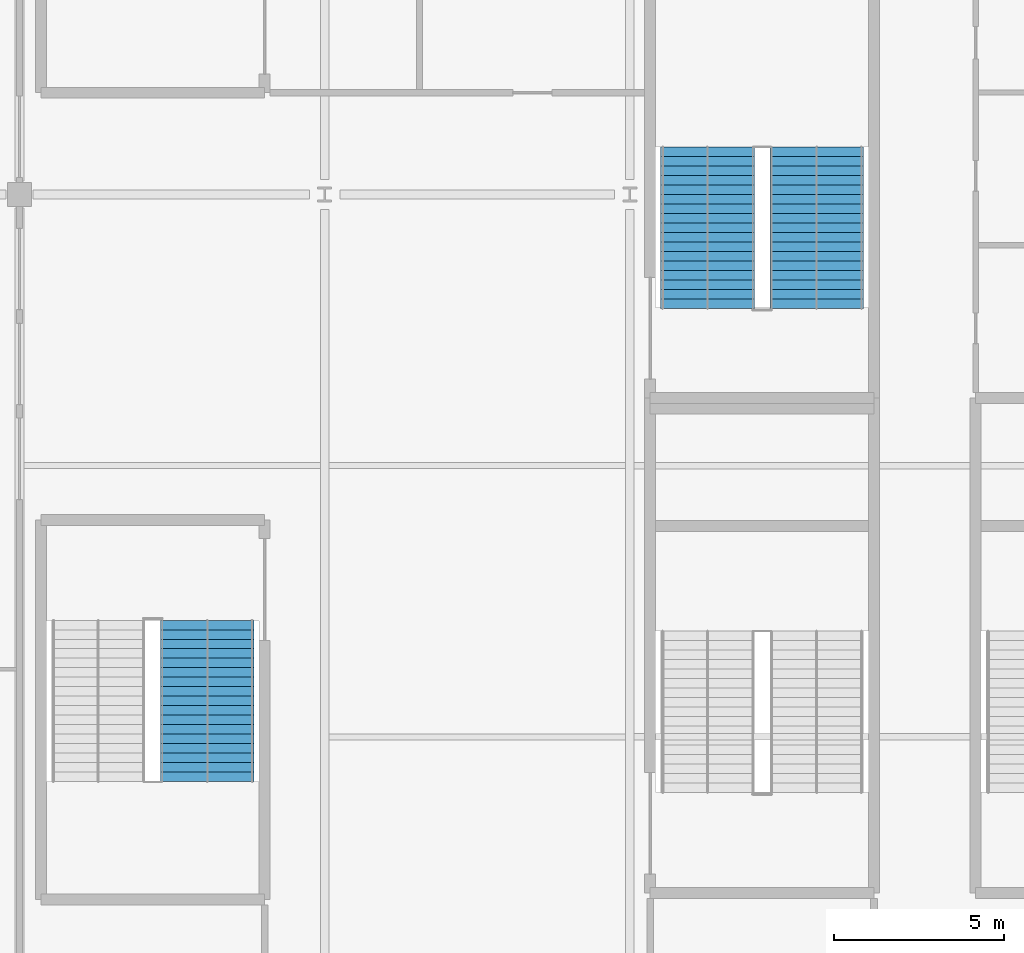
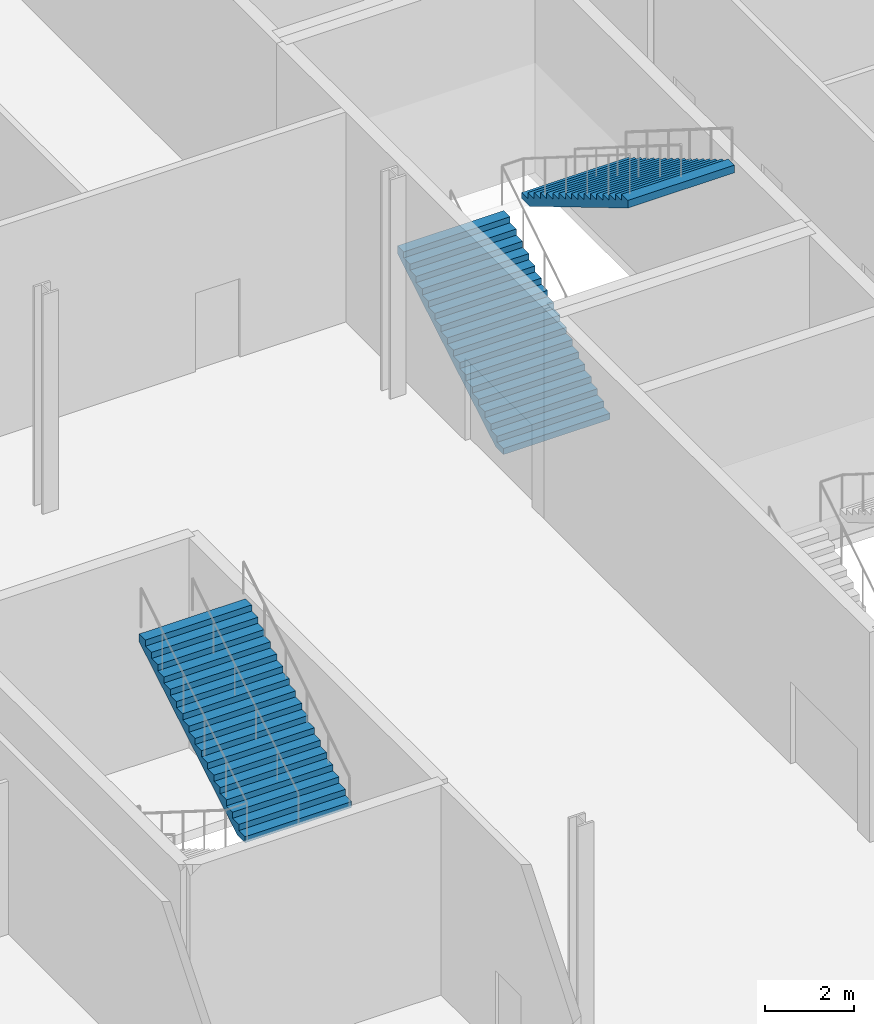
# One storey, part 64 of 84: 3 stair flights, 2 elements without a shape of their own.
"""IFC4 building model written with IfcOpenShell, lengths in metres."""

from ifc_helpers import new_model, si_unit, direction, frame, origin, place, context, subcontext, project, spatial, polygons, material, type_object, element, aggregate, save


model = new_model("IFC4")

# Units and contexts
model_context = context("Model", 3, precision=1e-05, world=origin(), true_north=direction((0.0, 1.0)))
body_context = subcontext(model_context, "Body", "Model", "MODEL_VIEW")
ifc_project = project(units=[si_unit("LENGTHUNIT", "METRE"), si_unit("AREAUNIT", "SQUARE_METRE"), si_unit("VOLUMEUNIT", "CUBIC_METRE"), si_unit("PLANEANGLEUNIT", "RADIAN"), si_unit("MASSUNIT", "GRAM", prefix="KILO")], contexts=[model_context])

# Site, building, storey
site_placement = place(None, origin())
site = spatial("IfcSite", under=ifc_project, at=site_placement, CompositionType="ELEMENT")
building_placement = place(site_placement, origin())
building = spatial("IfcBuilding", under=site, at=building_placement, Name="Kisiwana Market Hall", CompositionType="ELEMENT")
storey_placement = place(building_placement, origin())
storey = spatial("IfcBuildingStorey", under=building, at=storey_placement, Name="L00", CompositionType="ELEMENT", Elevation=0.0)

# Stair, stair flight
ifc_material_1 = material(Name="Concrete C32/40", Category="concrete")
stair_type = type_object("IfcStairType", Name="ST-ESC-6000", PredefinedType="TWO_STRAIGHT_RUN_STAIR", material=ifc_material_1)
stair_1_placement = place(storey_placement, origin())
stair_1 = element("IfcStair", 1, at=stair_1_placement, inside=storey, type_object=stair_type, Name="Escape stair ST-E9-L00", PredefinedType="TWO_STRAIGHT_RUN_STAIR")
ifc_material_2 = material(Name="Concrete C32/40", Category="concrete")
stair_flight_type = type_object("IfcStairFlightType", Name="SF-ESC-6000", PredefinedType="STRAIGHT", material=ifc_material_2)
stair_flight_1_placement = place(storey_placement, frame((158.5400390625, 42.679931640625, 3.0), z_axis=(0.0, 0.0, 1.0), x_axis=(0.0, 1.0, 0.0)))
stair_flight_1 = element("IfcStairFlight", 2, at=stair_flight_1_placement, type_object=stair_flight_type, Name="ST-E9-L00 flight 2", NumberOfRisers=18, NumberOfTreads=17, PredefinedType="STRAIGHT", RiserHeight=0.166667, TreadLength=0.28, context=body_context, shape_type="Tessellation", body=[
    polygons([(0.0, -1.380127, 0.0), (0.0, -0.690125, 0.0), (0.0, -0.000122, 0.0), (0.0, 0.68988, 0.0), (0.0, 1.379883, 0.0), (0.0, -1.380127, 0.166748), (0.0, -0.690125, 0.166748), (0.0, -0.000122, 0.166748), (0.0, 0.68988, 0.166748), (0.0, 1.379883, 0.166748), (0.280029, -1.380127, 0.166748), (0.280029, -0.690125, 0.166748), (0.280029, -0.000122, 0.166748), (0.280029, 0.68988, 0.166748), (0.280029, 1.379883, 0.166748), (0.280029, -1.380127, 0.333252), (0.280029, -0.690125, 0.333252), (0.280029, -0.000122, 0.333252), (0.280029, 0.68988, 0.333252), (0.280029, 1.379883, 0.333252), (0.560059, -1.380127, 0.333252), (0.560059, -0.690125, 0.333252), (0.560059, -0.000122, 0.333252), (0.560059, 0.68988, 0.333252), (0.560059, 1.379883, 0.333252), (0.560059, -1.380127, 0.5), (0.560059, -0.690125, 0.5), (0.560059, -0.000122, 0.5), (0.560059, 0.68988, 0.5), (0.560059, 1.379883, 0.5), (0.840088, -1.380127, 0.5), (0.840088, -0.690125, 0.5), (0.840088, -0.000122, 0.5), (0.840088, 0.68988, 0.5), (0.840088, 1.379883, 0.5), (0.840088, -1.380127, 0.666748), (0.840088, -0.690125, 0.666748), (0.840088, -0.000122, 0.666748), (0.840088, 0.68988, 0.666748), (0.840088, 1.379883, 0.666748), (1.120117, -1.380127, 0.666748), (1.120117, -0.690125, 0.666748), (1.120117, -0.000122, 0.666748), (1.120117, 0.68988, 0.666748), (1.120117, 1.379883, 0.666748), (1.120117, -1.380127, 0.833252), (1.120117, -0.690125, 0.833252), (1.120117, -0.000122, 0.833252), (1.120117, 0.68988, 0.833252), (1.120117, 1.379883, 0.833252), (1.399902, -1.380127, 0.833252), (1.399902, -0.690125, 0.833252), (1.399902, -0.000122, 0.833252), (1.399902, 0.68988, 0.833252), (1.399902, 1.379883, 0.833252), (1.399902, -1.380127, 1.0), (1.399902, -0.690125, 1.0), (1.399902, -0.000122, 1.0), (1.399902, 0.68988, 1.0), (1.399902, 1.379883, 1.0), (1.679932, -1.380127, 1.0), (1.679932, -0.690125, 1.0), (1.679932, -0.000122, 1.0), (1.679932, 0.68988, 1.0), (1.679932, 1.379883, 1.0), (1.679932, -1.380127, 1.166748), (1.679932, -0.690125, 1.166748), (1.679932, -0.000122, 1.166748), (1.679932, 0.68988, 1.166748), (1.679932, 1.379883, 1.166748), (1.959961, -1.380127, 1.166748), (1.959961, -0.690125, 1.166748), (1.959961, -0.000122, 1.166748), (1.959961, 0.68988, 1.166748), (1.959961, 1.379883, 1.166748), (1.959961, -1.380127, 1.333252), (1.959961, -0.690125, 1.333252), (1.959961, -0.000122, 1.333252), (1.959961, 0.68988, 1.333252), (1.959961, 1.379883, 1.333252), (2.23999, -1.380127, 1.333252), (2.23999, -0.690125, 1.333252), (2.23999, -0.000122, 1.333252), (2.23999, 0.68988, 1.333252), (2.23999, 1.379883, 1.333252), (2.23999, -1.380127, 1.5), (2.23999, -0.690125, 1.5), (2.23999, -0.000122, 1.5), (2.23999, 0.68988, 1.5), (2.23999, 1.379883, 1.5), (2.52002, -1.380127, 1.5), (2.52002, -0.690125, 1.5), (2.52002, -0.000122, 1.5), (2.52002, 0.68988, 1.5), (2.52002, 1.379883, 1.5), (2.52002, -1.380127, 1.666748), (2.52002, -0.690125, 1.666748), (2.52002, -0.000122, 1.666748), (2.52002, 0.68988, 1.666748), (2.52002, 1.379883, 1.666748), (2.800049, -1.380127, 1.666748), (2.800049, -0.690125, 1.666748), (2.800049, -0.000122, 1.666748), (2.800049, 0.68988, 1.666748), (2.800049, 1.379883, 1.666748), (2.800049, -1.380127, 1.833252), (2.800049, -0.690125, 1.833252), (2.800049, -0.000122, 1.833252), (2.800049, 0.68988, 1.833252), (2.800049, 1.379883, 1.833252), (3.080078, -1.380127, 1.833252), (3.080078, -0.690125, 1.833252), (3.080078, -0.000122, 1.833252), (3.080078, 0.68988, 1.833252), (3.080078, 1.379883, 1.833252), (3.080078, -1.380127, 2.0), (3.080078, -0.690125, 2.0), (3.080078, -0.000122, 2.0), (3.080078, 0.68988, 2.0), (3.080078, 1.379883, 2.0), (3.360107, -1.380127, 2.0), (3.360107, -0.690125, 2.0), (3.360107, -0.000122, 2.0), (3.360107, 0.68988, 2.0), (3.360107, 1.379883, 2.0), (3.360107, -1.380127, 2.166748), (3.360107, -0.690125, 2.166748), (3.360107, -0.000122, 2.166748), (3.360107, 0.68988, 2.166748), (3.360107, 1.379883, 2.166748), (3.639893, -1.380127, 2.166748), (3.639893, -0.690125, 2.166748), (3.639893, -0.000122, 2.166748), (3.639893, 0.68988, 2.166748), (3.639893, 1.379883, 2.166748), (3.639893, -1.380127, 2.333252), (3.639893, -0.690125, 2.333252), (3.639893, -0.000122, 2.333252), (3.639893, 0.68988, 2.333252), (3.639893, 1.379883, 2.333252), (3.919922, -1.380127, 2.333252), (3.919922, -0.690125, 2.333252), (3.919922, -0.000122, 2.333252), (3.919922, 0.68988, 2.333252), (3.919922, 1.379883, 2.333252), (3.919922, -1.380127, 2.5), (3.919922, -0.690125, 2.5), (3.919922, -0.000122, 2.5), (3.919922, 0.68988, 2.5), (3.919922, 1.379883, 2.5), (4.199951, -1.380127, 2.5), (4.199951, -0.690125, 2.5), (4.199951, -0.000122, 2.5), (4.199951, 0.68988, 2.5), (4.199951, 1.379883, 2.5), (4.199951, -1.380127, 2.666748), (4.199951, -0.690125, 2.666748), (4.199951, -0.000122, 2.666748), (4.199951, 0.68988, 2.666748), (4.199951, 1.379883, 2.666748), (4.47998, -1.380127, 2.666748), (4.47998, -0.690125, 2.666748), (4.47998, -0.000122, 2.666748), (4.47998, 0.68988, 2.666748), (4.47998, 1.379883, 2.666748), (4.47998, -1.380127, 2.833252), (4.47998, -0.690125, 2.833252), (4.47998, -0.000122, 2.833252), (4.47998, 0.68988, 2.833252), (4.47998, 1.379883, 2.833252), (4.76001, -1.380127, 2.833252), (4.76001, -0.690125, 2.833252), (4.76001, -0.000122, 2.833252), (4.76001, 0.68988, 2.833252), (4.76001, 1.379883, 2.833252), (4.76001, -1.380127, 2.624023), (4.76001, -0.690125, 2.624023), (4.76001, -0.000122, 2.624023), (4.76001, 0.68988, 2.624023), (4.76001, 1.379883, 2.624023), (0.351807, -1.380127, 0.0), (0.351807, -0.690125, 0.0), (0.351807, -0.000122, 0.0), (0.351807, 0.68988, 0.0), (0.351807, 1.379883, 0.0)], [[[1, 6, 7, 2]], [[2, 7, 8, 3]], [[3, 8, 9, 4]], [[4, 9, 10, 5]], [[6, 11, 12, 7]], [[7, 12, 13, 8]], [[8, 13, 14, 9]], [[9, 14, 15, 10]], [[11, 16, 17, 12]], [[12, 17, 18, 13]], [[13, 18, 19, 14]], [[14, 19, 20, 15]], [[16, 21, 22, 17]], [[17, 22, 23, 18]], [[18, 23, 24, 19]], [[19, 24, 25, 20]], [[21, 26, 27, 22]], [[22, 27, 28, 23]], [[23, 28, 29, 24]], [[24, 29, 30, 25]], [[26, 31, 32, 27]], [[27, 32, 33, 28]], [[28, 33, 34, 29]], [[29, 34, 35, 30]], [[31, 36, 37, 32]], [[32, 37, 38, 33]], [[33, 38, 39, 34]], [[34, 39, 40, 35]], [[36, 41, 42, 37]], [[37, 42, 43, 38]], [[38, 43, 44, 39]], [[39, 44, 45, 40]], [[41, 46, 47, 42]], [[42, 47, 48, 43]], [[43, 48, 49, 44]], [[44, 49, 50, 45]], [[46, 51, 52, 47]], [[47, 52, 53, 48]], [[48, 53, 54, 49]], [[49, 54, 55, 50]], [[51, 56, 57, 52]], [[52, 57, 58, 53]], [[53, 58, 59, 54]], [[54, 59, 60, 55]], [[56, 61, 62, 57]], [[57, 62, 63, 58]], [[58, 63, 64, 59]], [[59, 64, 65, 60]], [[61, 66, 67, 62]], [[62, 67, 68, 63]], [[63, 68, 69, 64]], [[64, 69, 70, 65]], [[66, 71, 72, 67]], [[67, 72, 73, 68]], [[68, 73, 74, 69]], [[69, 74, 75, 70]], [[71, 76, 77, 72]], [[72, 77, 78, 73]], [[73, 78, 79, 74]], [[74, 79, 80, 75]], [[76, 81, 82, 77]], [[77, 82, 83, 78]], [[78, 83, 84, 79]], [[79, 84, 85, 80]], [[81, 86, 87, 82]], [[82, 87, 88, 83]], [[83, 88, 89, 84]], [[84, 89, 90, 85]], [[86, 91, 92, 87]], [[87, 92, 93, 88]], [[88, 93, 94, 89]], [[89, 94, 95, 90]], [[91, 96, 97, 92]], [[92, 97, 98, 93]], [[93, 98, 99, 94]], [[94, 99, 100, 95]], [[96, 101, 102, 97]], [[97, 102, 103, 98]], [[98, 103, 104, 99]], [[99, 104, 105, 100]], [[101, 106, 107, 102]], [[102, 107, 108, 103]], [[103, 108, 109, 104]], [[104, 109, 110, 105]], [[106, 111, 112, 107]], [[107, 112, 113, 108]], [[108, 113, 114, 109]], [[109, 114, 115, 110]], [[111, 116, 117, 112]], [[112, 117, 118, 113]], [[113, 118, 119, 114]], [[114, 119, 120, 115]], [[116, 121, 122, 117]], [[117, 122, 123, 118]], [[118, 123, 124, 119]], [[119, 124, 125, 120]], [[121, 126, 127, 122]], [[122, 127, 128, 123]], [[123, 128, 129, 124]], [[124, 129, 130, 125]], [[126, 131, 132, 127]], [[127, 132, 133, 128]], [[128, 133, 134, 129]], [[129, 134, 135, 130]], [[131, 136, 137, 132]], [[132, 137, 138, 133]], [[133, 138, 139, 134]], [[134, 139, 140, 135]], [[136, 141, 142, 137]], [[137, 142, 143, 138]], [[138, 143, 144, 139]], [[139, 144, 145, 140]], [[141, 146, 147, 142]], [[142, 147, 148, 143]], [[143, 148, 149, 144]], [[144, 149, 150, 145]], [[146, 151, 152, 147]], [[147, 152, 153, 148]], [[148, 153, 154, 149]], [[149, 154, 155, 150]], [[151, 156, 157, 152]], [[152, 157, 158, 153]], [[153, 158, 159, 154]], [[154, 159, 160, 155]], [[156, 161, 162, 157]], [[157, 162, 163, 158]], [[158, 163, 164, 159]], [[159, 164, 165, 160]], [[161, 166, 167, 162]], [[162, 167, 168, 163]], [[163, 168, 169, 164]], [[164, 169, 170, 165]], [[166, 171, 172, 167]], [[167, 172, 173, 168]], [[168, 173, 174, 169]], [[169, 174, 175, 170]], [[171, 176, 177, 172]], [[172, 177, 178, 173]], [[173, 178, 179, 174]], [[174, 179, 180, 175]], [[176, 181, 182, 177]], [[177, 182, 183, 178]], [[178, 183, 184, 179]], [[179, 184, 185, 180]], [[181, 1, 2, 182]], [[182, 2, 3, 183]], [[183, 3, 4, 184]], [[184, 4, 5, 185]], [[181, 176, 171, 166, 161, 156, 151, 146, 141, 136, 131, 126, 121, 116, 111, 106, 101, 96, 91, 86, 81, 76, 71, 66, 61, 56, 51, 46, 41, 36, 31, 26, 21, 16, 11, 6, 1]], [[5, 10, 15, 20, 25, 30, 35, 40, 45, 50, 55, 60, 65, 70, 75, 80, 85, 90, 95, 100, 105, 110, 115, 120, 125, 130, 135, 140, 145, 150, 155, 160, 165, 170, 175, 180, 185]]], closed=True),
])
aggregate(stair_1, [stair_flight_1])

# Stair, stair flights
stair_2_placement = place(storey_placement, origin())
stair_2 = element("IfcStair", 3, at=stair_2_placement, inside=storey, type_object=stair_type, Name="Escape stair ST-E5-L00", PredefinedType="TWO_STRAIGHT_RUN_STAIR")
stair_flight_2_placement = place(storey_placement, frame((173.2900390625, 56.639892578125, 0.0), z_axis=(0.0, 0.0, 1.0), x_axis=(0.0, 1.0, 0.0)))
stair_flight_2 = element("IfcStairFlight", 4, at=stair_flight_2_placement, type_object=stair_flight_type, Name="ST-E5-L00 flight 1", NumberOfRisers=18, NumberOfTreads=17, PredefinedType="STRAIGHT", RiserHeight=0.166667, TreadLength=0.28, context=body_context, shape_type="Tessellation", body=[
    polygons([(0.0, -1.380127, 0.0), (0.0, -0.690125, 0.0), (0.0, -0.000122, 0.0), (0.0, 0.68988, 0.0), (0.0, 1.379883, 0.0), (0.0, -1.380127, 0.166748), (0.0, -0.690125, 0.166748), (0.0, -0.000122, 0.166748), (0.0, 0.68988, 0.166748), (0.0, 1.379883, 0.166748), (0.280029, -1.380127, 0.166748), (0.280029, -0.690125, 0.166748), (0.280029, -0.000122, 0.166748), (0.280029, 0.68988, 0.166748), (0.280029, 1.379883, 0.166748), (0.280029, -1.380127, 0.333252), (0.280029, -0.690125, 0.333252), (0.280029, -0.000122, 0.333252), (0.280029, 0.68988, 0.333252), (0.280029, 1.379883, 0.333252), (0.560059, -1.380127, 0.333252), (0.560059, -0.690125, 0.333252), (0.560059, -0.000122, 0.333252), (0.560059, 0.68988, 0.333252), (0.560059, 1.379883, 0.333252), (0.560059, -1.380127, 0.5), (0.560059, -0.690125, 0.5), (0.560059, -0.000122, 0.5), (0.560059, 0.68988, 0.5), (0.560059, 1.379883, 0.5), (0.840088, -1.380127, 0.5), (0.840088, -0.690125, 0.5), (0.840088, -0.000122, 0.5), (0.840088, 0.68988, 0.5), (0.840088, 1.379883, 0.5), (0.840088, -1.380127, 0.666748), (0.840088, -0.690125, 0.666748), (0.840088, -0.000122, 0.666748), (0.840088, 0.68988, 0.666748), (0.840088, 1.379883, 0.666748), (1.120117, -1.380127, 0.666748), (1.120117, -0.690125, 0.666748), (1.120117, -0.000122, 0.666748), (1.120117, 0.68988, 0.666748), (1.120117, 1.379883, 0.666748), (1.120117, -1.380127, 0.833252), (1.120117, -0.690125, 0.833252), (1.120117, -0.000122, 0.833252), (1.120117, 0.68988, 0.833252), (1.120117, 1.379883, 0.833252), (1.399902, -1.380127, 0.833252), (1.399902, -0.690125, 0.833252), (1.399902, -0.000122, 0.833252), (1.399902, 0.68988, 0.833252), (1.399902, 1.379883, 0.833252), (1.399902, -1.380127, 1.0), (1.399902, -0.690125, 1.0), (1.399902, -0.000122, 1.0), (1.399902, 0.68988, 1.0), (1.399902, 1.379883, 1.0), (1.679932, -1.380127, 1.0), (1.679932, -0.690125, 1.0), (1.679932, -0.000122, 1.0), (1.679932, 0.68988, 1.0), (1.679932, 1.379883, 1.0), (1.679932, -1.380127, 1.166748), (1.679932, -0.690125, 1.166748), (1.679932, -0.000122, 1.166748), (1.679932, 0.68988, 1.166748), (1.679932, 1.379883, 1.166748), (1.959961, -1.380127, 1.166748), (1.959961, -0.690125, 1.166748), (1.959961, -0.000122, 1.166748), (1.959961, 0.68988, 1.166748), (1.959961, 1.379883, 1.166748), (1.959961, -1.380127, 1.333252), (1.959961, -0.690125, 1.333252), (1.959961, -0.000122, 1.333252), (1.959961, 0.68988, 1.333252), (1.959961, 1.379883, 1.333252), (2.23999, -1.380127, 1.333252), (2.23999, -0.690125, 1.333252), (2.23999, -0.000122, 1.333252), (2.23999, 0.68988, 1.333252), (2.23999, 1.379883, 1.333252), (2.23999, -1.380127, 1.5), (2.23999, -0.690125, 1.5), (2.23999, -0.000122, 1.5), (2.23999, 0.68988, 1.5), (2.23999, 1.379883, 1.5), (2.52002, -1.380127, 1.5), (2.52002, -0.690125, 1.5), (2.52002, -0.000122, 1.5), (2.52002, 0.68988, 1.5), (2.52002, 1.379883, 1.5), (2.52002, -1.380127, 1.666748), (2.52002, -0.690125, 1.666748), (2.52002, -0.000122, 1.666748), (2.52002, 0.68988, 1.666748), (2.52002, 1.379883, 1.666748), (2.800049, -1.380127, 1.666748), (2.800049, -0.690125, 1.666748), (2.800049, -0.000122, 1.666748), (2.800049, 0.68988, 1.666748), (2.800049, 1.379883, 1.666748), (2.800049, -1.380127, 1.833252), (2.800049, -0.690125, 1.833252), (2.800049, -0.000122, 1.833252), (2.800049, 0.68988, 1.833252), (2.800049, 1.379883, 1.833252), (3.080078, -1.380127, 1.833252), (3.080078, -0.690125, 1.833252), (3.080078, -0.000122, 1.833252), (3.080078, 0.68988, 1.833252), (3.080078, 1.379883, 1.833252), (3.080078, -1.380127, 2.0), (3.080078, -0.690125, 2.0), (3.080078, -0.000122, 2.0), (3.080078, 0.68988, 2.0), (3.080078, 1.379883, 2.0), (3.360107, -1.380127, 2.0), (3.360107, -0.690125, 2.0), (3.360107, -0.000122, 2.0), (3.360107, 0.68988, 2.0), (3.360107, 1.379883, 2.0), (3.360107, -1.380127, 2.166748), (3.360107, -0.690125, 2.166748), (3.360107, -0.000122, 2.166748), (3.360107, 0.68988, 2.166748), (3.360107, 1.379883, 2.166748), (3.639893, -1.380127, 2.166748), (3.639893, -0.690125, 2.166748), (3.639893, -0.000122, 2.166748), (3.639893, 0.68988, 2.166748), (3.639893, 1.379883, 2.166748), (3.639893, -1.380127, 2.333252), (3.639893, -0.690125, 2.333252), (3.639893, -0.000122, 2.333252), (3.639893, 0.68988, 2.333252), (3.639893, 1.379883, 2.333252), (3.919922, -1.380127, 2.333252), (3.919922, -0.690125, 2.333252), (3.919922, -0.000122, 2.333252), (3.919922, 0.68988, 2.333252), (3.919922, 1.379883, 2.333252), (3.919922, -1.380127, 2.5), (3.919922, -0.690125, 2.5), (3.919922, -0.000122, 2.5), (3.919922, 0.68988, 2.5), (3.919922, 1.379883, 2.5), (4.199951, -1.380127, 2.5), (4.199951, -0.690125, 2.5), (4.199951, -0.000122, 2.5), (4.199951, 0.68988, 2.5), (4.199951, 1.379883, 2.5), (4.199951, -1.380127, 2.666748), (4.199951, -0.690125, 2.666748), (4.199951, -0.000122, 2.666748), (4.199951, 0.68988, 2.666748), (4.199951, 1.379883, 2.666748), (4.47998, -1.380127, 2.666748), (4.47998, -0.690125, 2.666748), (4.47998, -0.000122, 2.666748), (4.47998, 0.68988, 2.666748), (4.47998, 1.379883, 2.666748), (4.47998, -1.380127, 2.833252), (4.47998, -0.690125, 2.833252), (4.47998, -0.000122, 2.833252), (4.47998, 0.68988, 2.833252), (4.47998, 1.379883, 2.833252), (4.76001, -1.380127, 2.833252), (4.76001, -0.690125, 2.833252), (4.76001, -0.000122, 2.833252), (4.76001, 0.68988, 2.833252), (4.76001, 1.379883, 2.833252), (4.76001, -1.380127, 2.624023), (4.76001, -0.690125, 2.624023), (4.76001, -0.000122, 2.624023), (4.76001, 0.68988, 2.624023), (4.76001, 1.379883, 2.624023), (0.351807, -1.380127, 0.0), (0.351807, -0.690125, 0.0), (0.351807, -0.000122, 0.0), (0.351807, 0.68988, 0.0), (0.351807, 1.379883, 0.0)], [[[1, 6, 7, 2]], [[2, 7, 8, 3]], [[3, 8, 9, 4]], [[4, 9, 10, 5]], [[6, 11, 12, 7]], [[7, 12, 13, 8]], [[8, 13, 14, 9]], [[9, 14, 15, 10]], [[11, 16, 17, 12]], [[12, 17, 18, 13]], [[13, 18, 19, 14]], [[14, 19, 20, 15]], [[16, 21, 22, 17]], [[17, 22, 23, 18]], [[18, 23, 24, 19]], [[19, 24, 25, 20]], [[21, 26, 27, 22]], [[22, 27, 28, 23]], [[23, 28, 29, 24]], [[24, 29, 30, 25]], [[26, 31, 32, 27]], [[27, 32, 33, 28]], [[28, 33, 34, 29]], [[29, 34, 35, 30]], [[31, 36, 37, 32]], [[32, 37, 38, 33]], [[33, 38, 39, 34]], [[34, 39, 40, 35]], [[36, 41, 42, 37]], [[37, 42, 43, 38]], [[38, 43, 44, 39]], [[39, 44, 45, 40]], [[41, 46, 47, 42]], [[42, 47, 48, 43]], [[43, 48, 49, 44]], [[44, 49, 50, 45]], [[46, 51, 52, 47]], [[47, 52, 53, 48]], [[48, 53, 54, 49]], [[49, 54, 55, 50]], [[51, 56, 57, 52]], [[52, 57, 58, 53]], [[53, 58, 59, 54]], [[54, 59, 60, 55]], [[56, 61, 62, 57]], [[57, 62, 63, 58]], [[58, 63, 64, 59]], [[59, 64, 65, 60]], [[61, 66, 67, 62]], [[62, 67, 68, 63]], [[63, 68, 69, 64]], [[64, 69, 70, 65]], [[66, 71, 72, 67]], [[67, 72, 73, 68]], [[68, 73, 74, 69]], [[69, 74, 75, 70]], [[71, 76, 77, 72]], [[72, 77, 78, 73]], [[73, 78, 79, 74]], [[74, 79, 80, 75]], [[76, 81, 82, 77]], [[77, 82, 83, 78]], [[78, 83, 84, 79]], [[79, 84, 85, 80]], [[81, 86, 87, 82]], [[82, 87, 88, 83]], [[83, 88, 89, 84]], [[84, 89, 90, 85]], [[86, 91, 92, 87]], [[87, 92, 93, 88]], [[88, 93, 94, 89]], [[89, 94, 95, 90]], [[91, 96, 97, 92]], [[92, 97, 98, 93]], [[93, 98, 99, 94]], [[94, 99, 100, 95]], [[96, 101, 102, 97]], [[97, 102, 103, 98]], [[98, 103, 104, 99]], [[99, 104, 105, 100]], [[101, 106, 107, 102]], [[102, 107, 108, 103]], [[103, 108, 109, 104]], [[104, 109, 110, 105]], [[106, 111, 112, 107]], [[107, 112, 113, 108]], [[108, 113, 114, 109]], [[109, 114, 115, 110]], [[111, 116, 117, 112]], [[112, 117, 118, 113]], [[113, 118, 119, 114]], [[114, 119, 120, 115]], [[116, 121, 122, 117]], [[117, 122, 123, 118]], [[118, 123, 124, 119]], [[119, 124, 125, 120]], [[121, 126, 127, 122]], [[122, 127, 128, 123]], [[123, 128, 129, 124]], [[124, 129, 130, 125]], [[126, 131, 132, 127]], [[127, 132, 133, 128]], [[128, 133, 134, 129]], [[129, 134, 135, 130]], [[131, 136, 137, 132]], [[132, 137, 138, 133]], [[133, 138, 139, 134]], [[134, 139, 140, 135]], [[136, 141, 142, 137]], [[137, 142, 143, 138]], [[138, 143, 144, 139]], [[139, 144, 145, 140]], [[141, 146, 147, 142]], [[142, 147, 148, 143]], [[143, 148, 149, 144]], [[144, 149, 150, 145]], [[146, 151, 152, 147]], [[147, 152, 153, 148]], [[148, 153, 154, 149]], [[149, 154, 155, 150]], [[151, 156, 157, 152]], [[152, 157, 158, 153]], [[153, 158, 159, 154]], [[154, 159, 160, 155]], [[156, 161, 162, 157]], [[157, 162, 163, 158]], [[158, 163, 164, 159]], [[159, 164, 165, 160]], [[161, 166, 167, 162]], [[162, 167, 168, 163]], [[163, 168, 169, 164]], [[164, 169, 170, 165]], [[166, 171, 172, 167]], [[167, 172, 173, 168]], [[168, 173, 174, 169]], [[169, 174, 175, 170]], [[171, 176, 177, 172]], [[172, 177, 178, 173]], [[173, 178, 179, 174]], [[174, 179, 180, 175]], [[176, 181, 182, 177]], [[177, 182, 183, 178]], [[178, 183, 184, 179]], [[179, 184, 185, 180]], [[181, 1, 2, 182]], [[182, 2, 3, 183]], [[183, 3, 4, 184]], [[184, 4, 5, 185]], [[181, 176, 171, 166, 161, 156, 151, 146, 141, 136, 131, 126, 121, 116, 111, 106, 101, 96, 91, 86, 81, 76, 71, 66, 61, 56, 51, 46, 41, 36, 31, 26, 21, 16, 11, 6, 1]], [[5, 10, 15, 20, 25, 30, 35, 40, 45, 50, 55, 60, 65, 70, 75, 80, 85, 90, 95, 100, 105, 110, 115, 120, 125, 130, 135, 140, 145, 150, 155, 160, 165, 170, 175, 180, 185]]], closed=True),
])
stair_flight_3_placement = place(storey_placement, frame((176.510009765625, 61.39990234375, 3.0), z_axis=(0.0, 0.0, 1.0), x_axis=(0.0, -1.0, 0.0)))
stair_flight_3 = element("IfcStairFlight", 5, at=stair_flight_3_placement, type_object=stair_flight_type, Name="ST-E5-L00 flight 2", NumberOfRisers=18, NumberOfTreads=17, PredefinedType="STRAIGHT", RiserHeight=0.166667, TreadLength=0.28, context=body_context, shape_type="Tessellation", body=[
    polygons([(0.0, -1.380127, 0.0), (0.0, -0.690125, 0.0), (0.0, -0.000122, 0.0), (0.0, 0.68988, 0.0), (0.0, 1.379883, 0.0), (0.0, -1.380127, 0.166748), (0.0, -0.690125, 0.166748), (0.0, -0.000122, 0.166748), (0.0, 0.68988, 0.166748), (0.0, 1.379883, 0.166748), (0.280029, -1.380127, 0.166748), (0.280029, -0.690125, 0.166748), (0.280029, -0.000122, 0.166748), (0.280029, 0.68988, 0.166748), (0.280029, 1.379883, 0.166748), (0.280029, -1.380127, 0.333252), (0.280029, -0.690125, 0.333252), (0.280029, -0.000122, 0.333252), (0.280029, 0.68988, 0.333252), (0.280029, 1.379883, 0.333252), (0.560059, -1.380127, 0.333252), (0.560059, -0.690125, 0.333252), (0.560059, -0.000122, 0.333252), (0.560059, 0.68988, 0.333252), (0.560059, 1.379883, 0.333252), (0.560059, -1.380127, 0.5), (0.560059, -0.690125, 0.5), (0.560059, -0.000122, 0.5), (0.560059, 0.68988, 0.5), (0.560059, 1.379883, 0.5), (0.840088, -1.380127, 0.5), (0.840088, -0.690125, 0.5), (0.840088, -0.000122, 0.5), (0.840088, 0.68988, 0.5), (0.840088, 1.379883, 0.5), (0.840088, -1.380127, 0.666748), (0.840088, -0.690125, 0.666748), (0.840088, -0.000122, 0.666748), (0.840088, 0.68988, 0.666748), (0.840088, 1.379883, 0.666748), (1.120117, -1.380127, 0.666748), (1.120117, -0.690125, 0.666748), (1.120117, -0.000122, 0.666748), (1.120117, 0.68988, 0.666748), (1.120117, 1.379883, 0.666748), (1.120117, -1.380127, 0.833252), (1.120117, -0.690125, 0.833252), (1.120117, -0.000122, 0.833252), (1.120117, 0.68988, 0.833252), (1.120117, 1.379883, 0.833252), (1.399902, -1.380127, 0.833252), (1.399902, -0.690125, 0.833252), (1.399902, -0.000122, 0.833252), (1.399902, 0.68988, 0.833252), (1.399902, 1.379883, 0.833252), (1.399902, -1.380127, 1.0), (1.399902, -0.690125, 1.0), (1.399902, -0.000122, 1.0), (1.399902, 0.68988, 1.0), (1.399902, 1.379883, 1.0), (1.679932, -1.380127, 1.0), (1.679932, -0.690125, 1.0), (1.679932, -0.000122, 1.0), (1.679932, 0.68988, 1.0), (1.679932, 1.379883, 1.0), (1.679932, -1.380127, 1.166748), (1.679932, -0.690125, 1.166748), (1.679932, -0.000122, 1.166748), (1.679932, 0.68988, 1.166748), (1.679932, 1.379883, 1.166748), (1.959961, -1.380127, 1.166748), (1.959961, -0.690125, 1.166748), (1.959961, -0.000122, 1.166748), (1.959961, 0.68988, 1.166748), (1.959961, 1.379883, 1.166748), (1.959961, -1.380127, 1.333252), (1.959961, -0.690125, 1.333252), (1.959961, -0.000122, 1.333252), (1.959961, 0.68988, 1.333252), (1.959961, 1.379883, 1.333252), (2.23999, -1.380127, 1.333252), (2.23999, -0.690125, 1.333252), (2.23999, -0.000122, 1.333252), (2.23999, 0.68988, 1.333252), (2.23999, 1.379883, 1.333252), (2.23999, -1.380127, 1.5), (2.23999, -0.690125, 1.5), (2.23999, -0.000122, 1.5), (2.23999, 0.68988, 1.5), (2.23999, 1.379883, 1.5), (2.52002, -1.380127, 1.5), (2.52002, -0.690125, 1.5), (2.52002, -0.000122, 1.5), (2.52002, 0.68988, 1.5), (2.52002, 1.379883, 1.5), (2.52002, -1.380127, 1.666748), (2.52002, -0.690125, 1.666748), (2.52002, -0.000122, 1.666748), (2.52002, 0.68988, 1.666748), (2.52002, 1.379883, 1.666748), (2.800049, -1.380127, 1.666748), (2.800049, -0.690125, 1.666748), (2.800049, -0.000122, 1.666748), (2.800049, 0.68988, 1.666748), (2.800049, 1.379883, 1.666748), (2.800049, -1.380127, 1.833252), (2.800049, -0.690125, 1.833252), (2.800049, -0.000122, 1.833252), (2.800049, 0.68988, 1.833252), (2.800049, 1.379883, 1.833252), (3.080078, -1.380127, 1.833252), (3.080078, -0.690125, 1.833252), (3.080078, -0.000122, 1.833252), (3.080078, 0.68988, 1.833252), (3.080078, 1.379883, 1.833252), (3.080078, -1.380127, 2.0), (3.080078, -0.690125, 2.0), (3.080078, -0.000122, 2.0), (3.080078, 0.68988, 2.0), (3.080078, 1.379883, 2.0), (3.360107, -1.380127, 2.0), (3.360107, -0.690125, 2.0), (3.360107, -0.000122, 2.0), (3.360107, 0.68988, 2.0), (3.360107, 1.379883, 2.0), (3.360107, -1.380127, 2.166748), (3.360107, -0.690125, 2.166748), (3.360107, -0.000122, 2.166748), (3.360107, 0.68988, 2.166748), (3.360107, 1.379883, 2.166748), (3.639893, -1.380127, 2.166748), (3.639893, -0.690125, 2.166748), (3.639893, -0.000122, 2.166748), (3.639893, 0.68988, 2.166748), (3.639893, 1.379883, 2.166748), (3.639893, -1.380127, 2.333252), (3.639893, -0.690125, 2.333252), (3.639893, -0.000122, 2.333252), (3.639893, 0.68988, 2.333252), (3.639893, 1.379883, 2.333252), (3.919922, -1.380127, 2.333252), (3.919922, -0.690125, 2.333252), (3.919922, -0.000122, 2.333252), (3.919922, 0.68988, 2.333252), (3.919922, 1.379883, 2.333252), (3.919922, -1.380127, 2.5), (3.919922, -0.690125, 2.5), (3.919922, -0.000122, 2.5), (3.919922, 0.68988, 2.5), (3.919922, 1.379883, 2.5), (4.199951, -1.380127, 2.5), (4.199951, -0.690125, 2.5), (4.199951, -0.000122, 2.5), (4.199951, 0.68988, 2.5), (4.199951, 1.379883, 2.5), (4.199951, -1.380127, 2.666748), (4.199951, -0.690125, 2.666748), (4.199951, -0.000122, 2.666748), (4.199951, 0.68988, 2.666748), (4.199951, 1.379883, 2.666748), (4.47998, -1.380127, 2.666748), (4.47998, -0.690125, 2.666748), (4.47998, -0.000122, 2.666748), (4.47998, 0.68988, 2.666748), (4.47998, 1.379883, 2.666748), (4.47998, -1.380127, 2.833252), (4.47998, -0.690125, 2.833252), (4.47998, -0.000122, 2.833252), (4.47998, 0.68988, 2.833252), (4.47998, 1.379883, 2.833252), (4.76001, -1.380127, 2.833252), (4.76001, -0.690125, 2.833252), (4.76001, -0.000122, 2.833252), (4.76001, 0.68988, 2.833252), (4.76001, 1.379883, 2.833252), (4.76001, -1.380127, 2.624023), (4.76001, -0.690125, 2.624023), (4.76001, -0.000122, 2.624023), (4.76001, 0.68988, 2.624023), (4.76001, 1.379883, 2.624023), (0.351807, -1.380127, 0.0), (0.351807, -0.690125, 0.0), (0.351807, -0.000122, 0.0), (0.351807, 0.68988, 0.0), (0.351807, 1.379883, 0.0)], [[[1, 6, 7, 2]], [[2, 7, 8, 3]], [[3, 8, 9, 4]], [[4, 9, 10, 5]], [[6, 11, 12, 7]], [[7, 12, 13, 8]], [[8, 13, 14, 9]], [[9, 14, 15, 10]], [[11, 16, 17, 12]], [[12, 17, 18, 13]], [[13, 18, 19, 14]], [[14, 19, 20, 15]], [[16, 21, 22, 17]], [[17, 22, 23, 18]], [[18, 23, 24, 19]], [[19, 24, 25, 20]], [[21, 26, 27, 22]], [[22, 27, 28, 23]], [[23, 28, 29, 24]], [[24, 29, 30, 25]], [[26, 31, 32, 27]], [[27, 32, 33, 28]], [[28, 33, 34, 29]], [[29, 34, 35, 30]], [[31, 36, 37, 32]], [[32, 37, 38, 33]], [[33, 38, 39, 34]], [[34, 39, 40, 35]], [[36, 41, 42, 37]], [[37, 42, 43, 38]], [[38, 43, 44, 39]], [[39, 44, 45, 40]], [[41, 46, 47, 42]], [[42, 47, 48, 43]], [[43, 48, 49, 44]], [[44, 49, 50, 45]], [[46, 51, 52, 47]], [[47, 52, 53, 48]], [[48, 53, 54, 49]], [[49, 54, 55, 50]], [[51, 56, 57, 52]], [[52, 57, 58, 53]], [[53, 58, 59, 54]], [[54, 59, 60, 55]], [[56, 61, 62, 57]], [[57, 62, 63, 58]], [[58, 63, 64, 59]], [[59, 64, 65, 60]], [[61, 66, 67, 62]], [[62, 67, 68, 63]], [[63, 68, 69, 64]], [[64, 69, 70, 65]], [[66, 71, 72, 67]], [[67, 72, 73, 68]], [[68, 73, 74, 69]], [[69, 74, 75, 70]], [[71, 76, 77, 72]], [[72, 77, 78, 73]], [[73, 78, 79, 74]], [[74, 79, 80, 75]], [[76, 81, 82, 77]], [[77, 82, 83, 78]], [[78, 83, 84, 79]], [[79, 84, 85, 80]], [[81, 86, 87, 82]], [[82, 87, 88, 83]], [[83, 88, 89, 84]], [[84, 89, 90, 85]], [[86, 91, 92, 87]], [[87, 92, 93, 88]], [[88, 93, 94, 89]], [[89, 94, 95, 90]], [[91, 96, 97, 92]], [[92, 97, 98, 93]], [[93, 98, 99, 94]], [[94, 99, 100, 95]], [[96, 101, 102, 97]], [[97, 102, 103, 98]], [[98, 103, 104, 99]], [[99, 104, 105, 100]], [[101, 106, 107, 102]], [[102, 107, 108, 103]], [[103, 108, 109, 104]], [[104, 109, 110, 105]], [[106, 111, 112, 107]], [[107, 112, 113, 108]], [[108, 113, 114, 109]], [[109, 114, 115, 110]], [[111, 116, 117, 112]], [[112, 117, 118, 113]], [[113, 118, 119, 114]], [[114, 119, 120, 115]], [[116, 121, 122, 117]], [[117, 122, 123, 118]], [[118, 123, 124, 119]], [[119, 124, 125, 120]], [[121, 126, 127, 122]], [[122, 127, 128, 123]], [[123, 128, 129, 124]], [[124, 129, 130, 125]], [[126, 131, 132, 127]], [[127, 132, 133, 128]], [[128, 133, 134, 129]], [[129, 134, 135, 130]], [[131, 136, 137, 132]], [[132, 137, 138, 133]], [[133, 138, 139, 134]], [[134, 139, 140, 135]], [[136, 141, 142, 137]], [[137, 142, 143, 138]], [[138, 143, 144, 139]], [[139, 144, 145, 140]], [[141, 146, 147, 142]], [[142, 147, 148, 143]], [[143, 148, 149, 144]], [[144, 149, 150, 145]], [[146, 151, 152, 147]], [[147, 152, 153, 148]], [[148, 153, 154, 149]], [[149, 154, 155, 150]], [[151, 156, 157, 152]], [[152, 157, 158, 153]], [[153, 158, 159, 154]], [[154, 159, 160, 155]], [[156, 161, 162, 157]], [[157, 162, 163, 158]], [[158, 163, 164, 159]], [[159, 164, 165, 160]], [[161, 166, 167, 162]], [[162, 167, 168, 163]], [[163, 168, 169, 164]], [[164, 169, 170, 165]], [[166, 171, 172, 167]], [[167, 172, 173, 168]], [[168, 173, 174, 169]], [[169, 174, 175, 170]], [[171, 176, 177, 172]], [[172, 177, 178, 173]], [[173, 178, 179, 174]], [[174, 179, 180, 175]], [[176, 181, 182, 177]], [[177, 182, 183, 178]], [[178, 183, 184, 179]], [[179, 184, 185, 180]], [[181, 1, 2, 182]], [[182, 2, 3, 183]], [[183, 3, 4, 184]], [[184, 4, 5, 185]], [[181, 176, 171, 166, 161, 156, 151, 146, 141, 136, 131, 126, 121, 116, 111, 106, 101, 96, 91, 86, 81, 76, 71, 66, 61, 56, 51, 46, 41, 36, 31, 26, 21, 16, 11, 6, 1]], [[5, 10, 15, 20, 25, 30, 35, 40, 45, 50, 55, 60, 65, 70, 75, 80, 85, 90, 95, 100, 105, 110, 115, 120, 125, 130, 135, 140, 145, 150, 155, 160, 165, 170, 175, 180, 185]]], closed=True),
])
aggregate(stair_2, [stair_flight_2, stair_flight_3])

save(model, "model.ifc")
